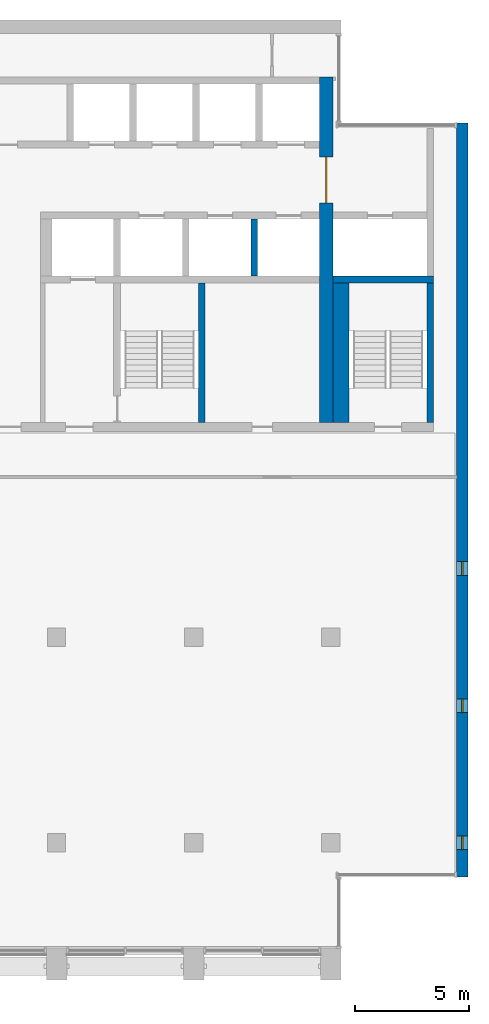
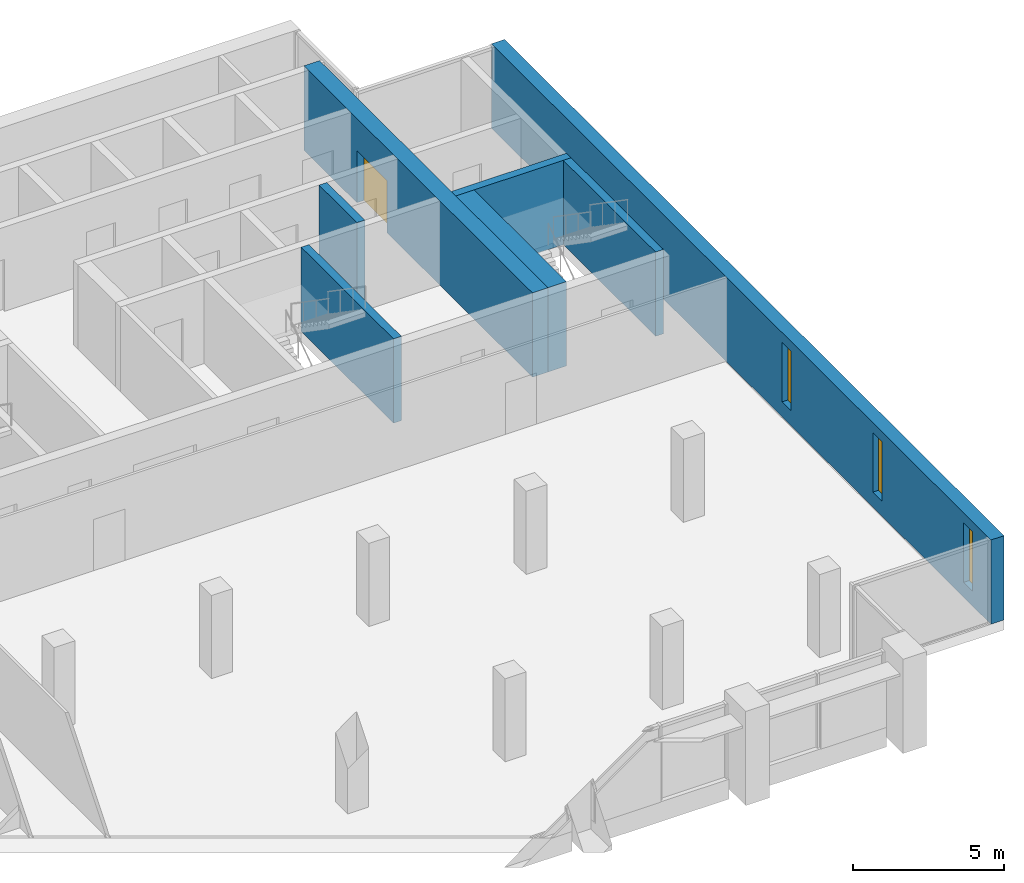
# One storey, part 9 of 14: 7 walls, 3 windows, 1 door, 4 openings.
"""IFC4 building model written with IfcOpenShell, lengths in metres."""

from ifc_helpers import new_model, si_unit, direction, frame, frame_2d, origin, place, context, subcontext, project, spatial, rectangle, extrude, material, layer, layer_set, type_object, element, fill, save


model = new_model("IFC4")

# Units and contexts
model_context = context("Model", 3, precision=1e-05, world=origin(), true_north=direction((0.0, 1.0)))
body_context = subcontext(model_context, "Body", "Model", "MODEL_VIEW")
ifc_project = project(units=[si_unit("LENGTHUNIT", "METRE"), si_unit("AREAUNIT", "SQUARE_METRE"), si_unit("VOLUMEUNIT", "CUBIC_METRE"), si_unit("PLANEANGLEUNIT", "RADIAN"), si_unit("MASSUNIT", "GRAM", prefix="KILO")], contexts=[model_context])

# Site, building, storey
site_placement = place(None, origin())
site = spatial("IfcSite", under=ifc_project, at=site_placement, CompositionType="ELEMENT")
building_placement = place(site_placement, origin())
building = spatial("IfcBuilding", under=site, at=building_placement, Name="Calvaro Tower", CompositionType="ELEMENT")
storey_placement = place(building_placement, frame((0.0, 0.0, 254.550048828125)))
storey = spatial("IfcBuildingStorey", under=building, at=storey_placement, Name="L64", CompositionType="ELEMENT", Elevation=254.550048828125)

# Walls
ifc_material_1 = material(Name="Concrete C40/50", Category="concrete")
ifc_layer_1 = layer(ifc_material_1, 0.300048828125)
ifc_layer_set_1 = layer_set([ifc_layer_1], Name="Concrete C40/50")
wall_type_1 = type_object("IfcWallType", Name="Core wall C40/50 300", PredefinedType="SHEAR", material=ifc_layer_set_1)
for number, where, z_axis, x_axis, name in (
    (1, (54.35009765625, 28.39990234375, 0.0), (0.0, 0.0, 1.0), (0.0, 1.0, 0.0), "Core wall, stair enclosure"),
    (2, (64.35009765625, 28.39990234375, 0.0), (0.0, 0.0, 1.0), (0.0, 1.0, 0.0), "Core wall, stair enclosure"),
):
    element("IfcWall", number, at=place(storey_placement, frame(where, z_axis=z_axis, x_axis=x_axis)), inside=storey, type_object=wall_type_1, Name=name, PredefinedType="SHEAR", context=body_context, shape_type="SweptSolid", body=[
        extrude(rectangle(XDim=6.10009765625, YDim=0.300048828125, at=frame_2d((3.050048828125, 0.0))), origin(), (0.0, 0.0, 1.0), 3.39990234375),
    ])
wall_1_placement = place(storey_placement, frame((60.10009765625, 34.64990234375, 0.0), z_axis=(0.0, 0.0, 1.0), x_axis=(1.0, 0.0, 0.0)))
element("IfcWall", 3, at=wall_1_placement, inside=storey, type_object=wall_type_1, Name="Core wall, lift shaft", PredefinedType="SHEAR", context=body_context, shape_type="SweptSolid", body=[
    extrude(rectangle(XDim=4.39990234375, YDim=0.300048828125, at=frame_2d((2.199951171875, 0.0))), origin(), (0.0, 0.0, 1.0), 3.39990234375),
])
wall_2_placement = place(storey_placement, frame((56.64990234375, 34.800048828125, 0.0), z_axis=(0.0, 0.0, 1.0), x_axis=(0.0, 1.0, 0.0)))
element("IfcWall", 4, at=wall_2_placement, inside=storey, type_object=wall_type_1, Name="Core wall, lift shaft", PredefinedType="SHEAR", context=body_context, shape_type="SweptSolid", body=[
    extrude(rectangle(XDim=2.5, YDim=0.300048828125, at=frame_2d((1.25, 0.0))), origin(), (0.0, 0.0, 1.0), 3.39990234375),
])

# Wall, opening, door
ifc_material_2 = material(Name="Concrete C40/50", Category="concrete")
ifc_layer_2 = layer(ifc_material_2, 0.60009765625)
ifc_layer_set_2 = layer_set([ifc_layer_2], Name="Concrete C40/50")
wall_type_2 = type_object("IfcWallType", Name="Core wall C40/50 600", PredefinedType="SHEAR", material=ifc_layer_set_2)
wall_3_placement = place(storey_placement, frame((59.800048828125, 28.39990234375, 0.0), z_axis=(0.0, 0.0, 1.0), x_axis=(0.0, 1.0, 0.0)))
wall_3 = element("IfcWall", 5, at=wall_3_placement, inside=storey, type_object=wall_type_2, Name="Core wall, cross shear wall", PredefinedType="SHEAR", context=body_context, shape_type="SweptSolid", body=[
    extrude(rectangle(XDim=15.10009765625, YDim=0.60009765625, at=frame_2d((7.550048828125, 0.0))), origin(), (0.0, 0.0, 1.0), 3.39990234375),
])
opening_1_placement = place(wall_3_placement, frame((9.60009765625, 0.0, 0.0)))
opening_1 = element("IfcOpeningElement", 6, at=opening_1_placement, cuts=wall_3, Name="Opening DD20D", PredefinedType="OPENING", context=body_context, shape_type="SweptSolid", body=[
    extrude(rectangle(XDim=2.0, YDim=2.10009765625, at=frame_2d((1.0, 1.050048828125))), frame((0.0, 0.31005859375, 0.0), z_axis=(0.0, -1.0, 0.0), x_axis=(1.0, 0.0, 0.0)), (0.0, 0.0, 1.0), 0.6201171875),
])
ifc_material_3 = material(Name="Steel door set", Category="steel")
door_type = type_object("IfcDoorType", Name="Lobby double door 2000 FD30S", OperationType="DOUBLE_DOOR_SINGLE_SWING", PredefinedType="DOOR", material=ifc_material_3)
door_placement = place(opening_1_placement, origin())
door = element("IfcDoor", 7, at=door_placement, inside=storey, type_object=door_type, Name="Lobby double door", OperationType="DOUBLE_DOOR_SINGLE_SWING", OverallHeight=2.10009765625, OverallWidth=2.0, PredefinedType="DOOR", context=body_context, shape_type="SweptSolid", body=[
    extrude(rectangle(XDim=2.0, YDim=2.10009765625, at=frame_2d((1.0, 1.050048828125))), frame((0.0, 0.02490234375, 0.0), z_axis=(0.0, -1.0, 0.0), x_axis=(1.0, 0.0, 0.0)), (0.0, 0.0, 1.0), 0.050048828125),
])
fill(opening_1, door)

# Wall
ifc_material_4 = material(Name="Concrete C40/50", Category="concrete")
ifc_layer_3 = layer(ifc_material_4, 0.699951171875)
ifc_layer_set_3 = layer_set([ifc_layer_3], Name="Concrete C40/50")
wall_type_3 = type_object("IfcWallType", Name="Core wall C40/50 700", PredefinedType="SHEAR", material=ifc_layer_set_3)
wall_4_placement = place(storey_placement, frame((60.449951171875, 28.39990234375, 0.0), z_axis=(0.0, 0.0, 1.0), x_axis=(0.0, 1.0, 0.0)))
element("IfcWall", 8, at=wall_4_placement, inside=storey, type_object=wall_type_3, Name="Core wall, stair enclosure", PredefinedType="SHEAR", context=body_context, shape_type="SweptSolid", body=[
    extrude(rectangle(XDim=6.10009765625, YDim=0.699951171875, at=frame_2d((3.050048828125, 0.0))), origin(), (0.0, 0.0, 1.0), 3.39990234375),
])

# Wall, openings, windows
ifc_material_5 = material(Name="Concrete C40/50", Category="concrete")
ifc_layer_4 = layer(ifc_material_5, 0.5)
ifc_layer_set_4 = layer_set([ifc_layer_4], Name="Concrete C40/50")
wall_type_4 = type_object("IfcWallType", Name="End wall 500 C40/50", PredefinedType="SHEAR", material=ifc_layer_set_4)
wall_5_placement = place(storey_placement, frame((65.75, 8.5, 0.0), z_axis=(0.0, 0.0, 1.0), x_axis=(0.0, 1.0, 0.0)))
wall_5 = element("IfcWall", 9, at=wall_5_placement, inside=storey, type_object=wall_type_4, Name="End shear wall", PredefinedType="SHEAR", context=body_context, shape_type="SweptSolid", body=[
    extrude(rectangle(XDim=33.0, YDim=0.5, at=frame_2d((16.5, 0.0))), origin(), (0.0, 0.0, 1.0), 3.39990234375),
])
opening_2_placement = place(wall_5_placement, frame((1.199951171875, 0.0, 0.60009765625)))
opening_2 = element("IfcOpeningElement", 10, at=opening_2_placement, cuts=wall_5, Name="Opening WE01", PredefinedType="OPENING", context=body_context, shape_type="SweptSolid", body=[
    extrude(rectangle(XDim=0.60009765625, YDim=2.39990234375, at=frame_2d((0.300048828125, 1.199951171875))), frame((0.0, 0.260009765625, 0.0), z_axis=(0.0, -1.0, 0.0), x_axis=(1.0, 0.0, 0.0)), (0.0, 0.0, 1.0), 0.52001953125),
])
opening_3_placement = place(wall_5_placement, frame((7.199951171875, 0.0, 0.60009765625)))
opening_3 = element("IfcOpeningElement", 11, at=opening_3_placement, cuts=wall_5, Name="Opening WE02", PredefinedType="OPENING", context=body_context, shape_type="SweptSolid", body=[
    extrude(rectangle(XDim=0.60009765625, YDim=2.39990234375, at=frame_2d((0.300048828125, 1.199951171875))), frame((0.0, 0.260009765625, 0.0), z_axis=(0.0, -1.0, 0.0), x_axis=(1.0, 0.0, 0.0)), (0.0, 0.0, 1.0), 0.52001953125),
])
opening_4_placement = place(wall_5_placement, frame((13.199951171875, 0.0, 0.60009765625)))
opening_4 = element("IfcOpeningElement", 12, at=opening_4_placement, cuts=wall_5, Name="Opening WE03", PredefinedType="OPENING", context=body_context, shape_type="SweptSolid", body=[
    extrude(rectangle(XDim=0.60009765625, YDim=2.39990234375, at=frame_2d((0.300048828125, 1.199951171875))), frame((0.0, 0.260009765625, 0.0), z_axis=(0.0, -1.0, 0.0), x_axis=(1.0, 0.0, 0.0)), (0.0, 0.0, 1.0), 0.52001953125),
])
ifc_material_6 = material(Name="Glass", Category="glass")
window_type = type_object("IfcWindowType", Name="Slit window 600 x 2400", PartitioningType="SINGLE_PANEL", PredefinedType="WINDOW", material=ifc_material_6)
window_1_placement = place(opening_2_placement, origin())
window_1 = element("IfcWindow", 13, at=window_1_placement, inside=storey, type_object=window_type, Name="Window WE01", OverallHeight=2.39990234375, OverallWidth=0.60009765625, PartitioningType="SINGLE_PANEL", PredefinedType="WINDOW", context=body_context, shape_type="SweptSolid", body=[
    extrude(rectangle(XDim=0.60009765625, YDim=2.39990234375, at=frame_2d((0.300048828125, 1.199951171875))), frame((0.0, 0.030029296875, 0.0), z_axis=(0.0, -1.0, 0.0), x_axis=(1.0, 0.0, 0.0)), (0.0, 0.0, 1.0), 0.06005859375),
])
fill(opening_2, window_1)
window_2_placement = place(opening_3_placement, origin())
window_2 = element("IfcWindow", 14, at=window_2_placement, inside=storey, type_object=window_type, Name="Window WE02", OverallHeight=2.39990234375, OverallWidth=0.60009765625, PartitioningType="SINGLE_PANEL", PredefinedType="WINDOW", context=body_context, shape_type="SweptSolid", body=[
    extrude(rectangle(XDim=0.60009765625, YDim=2.39990234375, at=frame_2d((0.300048828125, 1.199951171875))), frame((0.0, 0.030029296875, 0.0), z_axis=(0.0, -1.0, 0.0), x_axis=(1.0, 0.0, 0.0)), (0.0, 0.0, 1.0), 0.06005859375),
])
fill(opening_3, window_2)
window_3_placement = place(opening_4_placement, origin())
window_3 = element("IfcWindow", 15, at=window_3_placement, inside=storey, type_object=window_type, Name="Window WE03", OverallHeight=2.39990234375, OverallWidth=0.60009765625, PartitioningType="SINGLE_PANEL", PredefinedType="WINDOW", context=body_context, shape_type="SweptSolid", body=[
    extrude(rectangle(XDim=0.60009765625, YDim=2.39990234375, at=frame_2d((0.300048828125, 1.199951171875))), frame((0.0, 0.030029296875, 0.0), z_axis=(0.0, -1.0, 0.0), x_axis=(1.0, 0.0, 0.0)), (0.0, 0.0, 1.0), 0.06005859375),
])
fill(opening_4, window_3)

save(model, "model.ifc")
